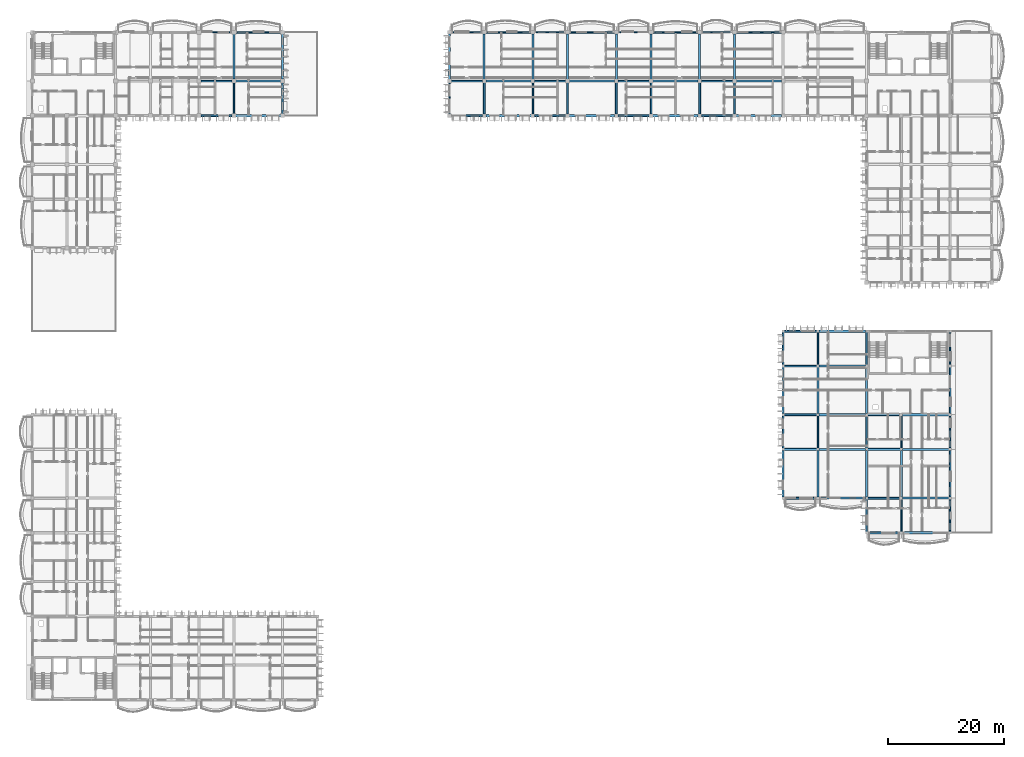
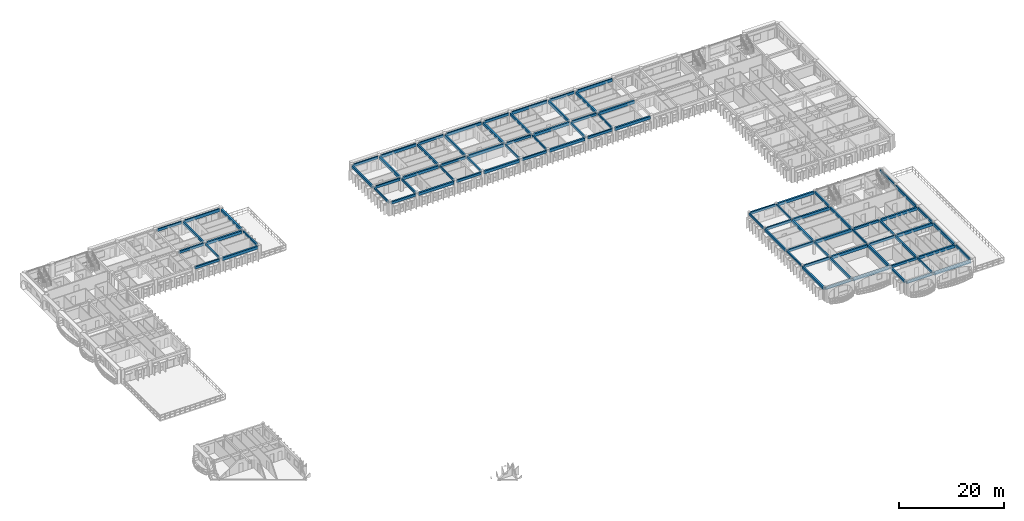
# One storey, part 6 of 66: 89 beams.
"""IFC4 building model written with IfcOpenShell, lengths in metres."""

from ifc_helpers import new_model, si_unit, direction, frame, origin, origin_2d, place, context, subcontext, project, spatial, rectangle, extrude, material, material_profile, profile_set, type_object, element, save


model = new_model("IFC4")

# Units and contexts
model_context = context("Model", 3, precision=1e-05, world=origin(), true_north=direction((0.0, 1.0)))
body_context = subcontext(model_context, "Body", "Model", "MODEL_VIEW")
ifc_project = project(units=[si_unit("LENGTHUNIT", "METRE"), si_unit("AREAUNIT", "SQUARE_METRE"), si_unit("VOLUMEUNIT", "CUBIC_METRE"), si_unit("PLANEANGLEUNIT", "RADIAN"), si_unit("MASSUNIT", "GRAM", prefix="KILO"), si_unit("THERMODYNAMICTEMPERATUREUNIT", "KELVIN")], contexts=[model_context])

# Site, building, storey
site_placement = place(None, origin())
site = spatial("IfcSite", under=ifc_project, at=site_placement, CompositionType="ELEMENT")
building_placement = place(site_placement, origin())
building = spatial("IfcBuilding", under=site, at=building_placement, Name="Thalorik Housing Commons", CompositionType="ELEMENT")
storey_placement = place(building_placement, frame((0.0, 0.0, 21.300048828125)))
storey = spatial("IfcBuildingStorey", under=building, at=storey_placement, Name="L06", CompositionType="ELEMENT", Elevation=21.300048828125)

# Beams
ifc_material = material(Name="Precast concrete C40/50", Category="concrete")
ifc_material_profile_1 = material_profile(ifc_material, rectangle(XDim=0.280029296875, YDim=0.449951171875, at=origin_2d()), Name="PC 280x450", Category="concrete")
ifc_profile_set_1 = profile_set([ifc_material_profile_1], Name="Precast concrete C40/50")
beam_type_1 = type_object("IfcBeamType", Name="STR-BM-PC280x450", PredefinedType="BEAM", material=ifc_profile_set_1)
for number, where, z_axis, x_axis, name in (
    (1, (43.199951171875, 109.5, 2.81494140625), (0.0, 1.0, 0.0), (-1.0, 0.0, 0.0), "L06 Beam B-450"),
    (2, (51.60009765625, 109.5, 2.81494140625), (0.0, 1.0, 0.0), (-1.0, 0.0, 0.0), "L06 Beam B-450"),
):
    element("IfcBeam", number, at=place(storey_placement, frame(where, z_axis=z_axis, x_axis=x_axis)), inside=storey, type_object=beam_type_1, Name=name, PredefinedType="BEAM", context=body_context, shape_type="SweptSolid", body=[
        extrude(rectangle(XDim=0.280029296875, YDim=0.449951171875, at=origin_2d()), origin(), (0.0, 0.0, 1.0), 5.39990234375),
    ])
for number, where, z_axis, x_axis, name in (
    (3, (80.39990234375, 109.47509765625, 2.81494140625), (0.0, 1.0, 0.0), (-1.0, 0.0, 0.0), "L06 Beam B-450"),
    (4, (86.39990234375, 109.47509765625, 2.81494140625), (0.0, 1.0, 0.0), (-1.0, 0.0, 0.0), "L06 Beam B-450"),
    (5, (94.800048828125, 109.47509765625, 2.81494140625), (0.0, 1.0, 0.0), (-1.0, 0.0, 0.0), "L06 Beam B-450"),
    (6, (100.800048828125, 109.47509765625, 2.81494140625), (0.0, 1.0, 0.0), (-1.0, 0.0, 0.0), "L06 Beam B-450"),
    (7, (109.199951171875, 109.47509765625, 2.81494140625), (0.0, 1.0, 0.0), (-1.0, 0.0, 0.0), "L06 Beam B-450"),
    (8, (115.199951171875, 109.47509765625, 2.81494140625), (0.0, 1.0, 0.0), (-1.0, 0.0, 0.0), "L06 Beam B-450"),
    (9, (123.60009765625, 109.47509765625, 2.81494140625), (0.0, 1.0, 0.0), (-1.0, 0.0, 0.0), "L06 Beam B-450"),
    (10, (129.60009765625, 109.47509765625, 2.81494140625), (0.0, 1.0, 0.0), (-1.0, 0.0, 0.0), "L06 Beam B-450"),
):
    element("IfcBeam", number, at=place(storey_placement, frame(where, z_axis=z_axis, x_axis=x_axis)), inside=storey, type_object=beam_type_1, Name=name, PredefinedType="BEAM", context=body_context, shape_type="SweptSolid", body=[
        extrude(rectangle(XDim=0.280029296875, YDim=0.449951171875, at=origin_2d()), origin(), (0.0, 0.0, 1.0), 5.449951171875),
    ])
beam_1_placement = place(storey_placement, frame((138.0, 51.77490234375, 2.81494140625), z_axis=(0.0, 1.0, 0.0), x_axis=(-1.0, 0.0, 0.0)))
element("IfcBeam", 11, at=beam_1_placement, inside=storey, type_object=beam_type_1, Name="L06 Beam B-450", PredefinedType="BEAM", context=body_context, shape_type="SweptSolid", body=[
    extrude(rectangle(XDim=0.280029296875, YDim=0.449951171875, at=origin_2d()), origin(), (0.0, 0.0, 1.0), 5.650146484375),
])
beam_2_placement = place(storey_placement, frame((138.0, 66.175048828125, 2.81494140625), z_axis=(0.0, 1.0, 0.0), x_axis=(-1.0, 0.0, 0.0)))
element("IfcBeam", 12, at=beam_2_placement, inside=storey, type_object=beam_type_1, Name="L06 Beam B-450", PredefinedType="BEAM", context=body_context, shape_type="SweptSolid", body=[
    extrude(rectangle(XDim=0.280029296875, YDim=0.449951171875, at=origin_2d()), origin(), (0.0, 0.0, 1.0), 5.64990234375),
])
beam_3_placement = place(storey_placement, frame((144.0, 51.77490234375, 2.81494140625), z_axis=(0.0, 1.0, 0.0), x_axis=(-1.0, 0.0, 0.0)))
element("IfcBeam", 13, at=beam_3_placement, inside=storey, type_object=beam_type_1, Name="L06 Beam B-450", PredefinedType="BEAM", context=body_context, shape_type="SweptSolid", body=[
    extrude(rectangle(XDim=0.280029296875, YDim=0.449951171875, at=origin_2d()), origin(), (0.0, 0.0, 1.0), 5.650146484375),
])
for number, where, z_axis, x_axis, name in (
    (14, (144.0, 66.175048828125, 2.81494140625), (0.0, 1.0, 0.0), (-1.0, 0.0, 0.0), "L06 Beam B-450"),
    (15, (152.39990234375, 37.375, 2.81494140625), (0.0, 1.0, 0.0), (-1.0, 0.0, 0.0), "L06 Beam B-450"),
):
    element("IfcBeam", number, at=place(storey_placement, frame(where, z_axis=z_axis, x_axis=x_axis)), inside=storey, type_object=beam_type_1, Name=name, PredefinedType="BEAM", context=body_context, shape_type="SweptSolid", body=[
        extrude(rectangle(XDim=0.280029296875, YDim=0.449951171875, at=origin_2d()), origin(), (0.0, 0.0, 1.0), 5.64990234375),
    ])
beam_4_placement = place(storey_placement, frame((152.39990234375, 51.77490234375, 2.81494140625), z_axis=(0.0, 1.0, 0.0), x_axis=(-1.0, 0.0, 0.0)))
element("IfcBeam", 16, at=beam_4_placement, inside=storey, type_object=beam_type_1, Name="L06 Beam B-450", PredefinedType="BEAM", context=body_context, shape_type="SweptSolid", body=[
    extrude(rectangle(XDim=0.280029296875, YDim=0.449951171875, at=origin_2d()), origin(), (0.0, 0.0, 1.0), 5.650146484375),
])
for number, where, z_axis, x_axis, name in (
    (17, (152.39990234375, 66.175048828125, 2.81494140625), (0.0, 1.0, 0.0), (-1.0, 0.0, 0.0), "L06 Beam B-450"),
    (18, (158.39990234375, 37.375, 2.81494140625), (0.0, 1.0, 0.0), (-1.0, 0.0, 0.0), "L06 Beam B-450"),
):
    element("IfcBeam", number, at=place(storey_placement, frame(where, z_axis=z_axis, x_axis=x_axis)), inside=storey, type_object=beam_type_1, Name=name, PredefinedType="BEAM", context=body_context, shape_type="SweptSolid", body=[
        extrude(rectangle(XDim=0.280029296875, YDim=0.449951171875, at=origin_2d()), origin(), (0.0, 0.0, 1.0), 5.64990234375),
    ])
beam_5_placement = place(storey_placement, frame((158.39990234375, 51.77490234375, 2.81494140625), z_axis=(0.0, 1.0, 0.0), x_axis=(-1.0, 0.0, 0.0)))
element("IfcBeam", 19, at=beam_5_placement, inside=storey, type_object=beam_type_1, Name="L06 Beam B-450", PredefinedType="BEAM", context=body_context, shape_type="SweptSolid", body=[
    extrude(rectangle(XDim=0.280029296875, YDim=0.449951171875, at=origin_2d()), origin(), (0.0, 0.0, 1.0), 5.650146484375),
])
ifc_material_profile_2 = material_profile(ifc_material, rectangle(XDim=0.320068359375, YDim=0.550048828125, at=origin_2d()), Name="PC 320x550", Category="concrete")
ifc_profile_set_2 = profile_set([ifc_material_profile_2], Name="Precast concrete C40/50")
beam_type_2 = type_object("IfcBeamType", Name="STR-BM-PC320x550", PredefinedType="BEAM", material=ifc_profile_set_2)
beam_6_placement = place(storey_placement, frame((152.574951171875, 37.199951171875, 2.764892578125), z_axis=(1.0, 0.0, 0.0), x_axis=(0.0, 1.0, 0.0)))
element("IfcBeam", 20, at=beam_6_placement, inside=storey, type_object=beam_type_2, Name="L06 Beam B-550", PredefinedType="BEAM", context=body_context, shape_type="SweptSolid", body=[
    extrude(rectangle(XDim=0.320068359375, YDim=0.550048828125, at=origin_2d()), origin(), (0.0, 0.0, 1.0), 5.650146484375),
])
beam_7_placement = place(storey_placement, frame((138.175048828125, 43.199951171875, 2.764892578125), z_axis=(1.0, 0.0, 0.0), x_axis=(0.0, 1.0, 0.0)))
element("IfcBeam", 21, at=beam_7_placement, inside=storey, type_object=beam_type_2, Name="L06 Beam B-550", PredefinedType="BEAM", context=body_context, shape_type="SweptSolid", body=[
    extrude(rectangle(XDim=0.320068359375, YDim=0.550048828125, at=origin_2d()), origin(), (0.0, 0.0, 1.0), 5.64990234375),
])
beam_8_placement = place(storey_placement, frame((152.574951171875, 43.199951171875, 2.764892578125), z_axis=(1.0, 0.0, 0.0), x_axis=(0.0, 1.0, 0.0)))
element("IfcBeam", 22, at=beam_8_placement, inside=storey, type_object=beam_type_2, Name="L06 Beam B-550", PredefinedType="BEAM", context=body_context, shape_type="SweptSolid", body=[
    extrude(rectangle(XDim=0.320068359375, YDim=0.550048828125, at=origin_2d()), origin(), (0.0, 0.0, 1.0), 5.650146484375),
])
beam_9_placement = place(storey_placement, frame((138.175048828125, 51.60009765625, 2.764892578125), z_axis=(1.0, 0.0, 0.0), x_axis=(0.0, 1.0, 0.0)))
element("IfcBeam", 23, at=beam_9_placement, inside=storey, type_object=beam_type_2, Name="L06 Beam B-550", PredefinedType="BEAM", context=body_context, shape_type="SweptSolid", body=[
    extrude(rectangle(XDim=0.320068359375, YDim=0.550048828125, at=origin_2d()), origin(), (0.0, 0.0, 1.0), 5.64990234375),
])
beam_10_placement = place(storey_placement, frame((152.574951171875, 51.60009765625, 2.764892578125), z_axis=(1.0, 0.0, 0.0), x_axis=(0.0, 1.0, 0.0)))
element("IfcBeam", 24, at=beam_10_placement, inside=storey, type_object=beam_type_2, Name="L06 Beam B-550", PredefinedType="BEAM", context=body_context, shape_type="SweptSolid", body=[
    extrude(rectangle(XDim=0.320068359375, YDim=0.550048828125, at=origin_2d()), origin(), (0.0, 0.0, 1.0), 5.650146484375),
])
beam_11_placement = place(storey_placement, frame((138.175048828125, 57.60009765625, 2.764892578125), z_axis=(1.0, 0.0, 0.0), x_axis=(0.0, 1.0, 0.0)))
element("IfcBeam", 25, at=beam_11_placement, inside=storey, type_object=beam_type_2, Name="L06 Beam B-550", PredefinedType="BEAM", context=body_context, shape_type="SweptSolid", body=[
    extrude(rectangle(XDim=0.320068359375, YDim=0.550048828125, at=origin_2d()), origin(), (0.0, 0.0, 1.0), 5.64990234375),
])
beam_12_placement = place(storey_placement, frame((152.574951171875, 57.60009765625, 2.764892578125), z_axis=(1.0, 0.0, 0.0), x_axis=(0.0, 1.0, 0.0)))
element("IfcBeam", 26, at=beam_12_placement, inside=storey, type_object=beam_type_2, Name="L06 Beam B-550", PredefinedType="BEAM", context=body_context, shape_type="SweptSolid", body=[
    extrude(rectangle(XDim=0.320068359375, YDim=0.550048828125, at=origin_2d()), origin(), (0.0, 0.0, 1.0), 5.650146484375),
])
for number, where, z_axis, x_axis, name in (
    (27, (138.175048828125, 66.0, 2.764892578125), (1.0, 0.0, 0.0), (0.0, 1.0, 0.0), "L06 Beam B-550"),
    (28, (138.175048828125, 72.0, 2.764892578125), (1.0, 0.0, 0.0), (0.0, 1.0, 0.0), "L06 Beam B-550"),
):
    element("IfcBeam", number, at=place(storey_placement, frame(where, z_axis=z_axis, x_axis=x_axis)), inside=storey, type_object=beam_type_2, Name=name, PredefinedType="BEAM", context=body_context, shape_type="SweptSolid", body=[
        extrude(rectangle(XDim=0.320068359375, YDim=0.550048828125, at=origin_2d()), origin(), (0.0, 0.0, 1.0), 5.64990234375),
    ])
beam_13_placement = place(storey_placement, frame((37.5, 109.199951171875, 2.764892578125), z_axis=(1.0, 0.0, 0.0), x_axis=(0.0, 1.0, 0.0)))
element("IfcBeam", 29, at=beam_13_placement, inside=storey, type_object=beam_type_2, Name="L06 Beam B-550", PredefinedType="BEAM", context=body_context, shape_type="SweptSolid", body=[
    extrude(rectangle(XDim=0.320068359375, YDim=0.550048828125, at=origin_2d()), origin(), (0.0, 0.0, 1.0), 5.39990234375),
])
for number, where, z_axis, x_axis, name in (
    (30, (80.675048828125, 109.199951171875, 2.764892578125), (1.0, 0.0, 0.0), (0.0, 1.0, 0.0), "L06 Beam B-550"),
    (31, (95.074951171875, 109.199951171875, 2.764892578125), (1.0, 0.0, 0.0), (0.0, 1.0, 0.0), "L06 Beam B-550"),
    (32, (109.47509765625, 109.199951171875, 2.764892578125), (1.0, 0.0, 0.0), (0.0, 1.0, 0.0), "L06 Beam B-550"),
    (33, (123.875, 109.199951171875, 2.764892578125), (1.0, 0.0, 0.0), (0.0, 1.0, 0.0), "L06 Beam B-550"),
):
    element("IfcBeam", number, at=place(storey_placement, frame(where, z_axis=z_axis, x_axis=x_axis)), inside=storey, type_object=beam_type_2, Name=name, PredefinedType="BEAM", context=body_context, shape_type="SweptSolid", body=[
        extrude(rectangle(XDim=0.320068359375, YDim=0.550048828125, at=origin_2d()), origin(), (0.0, 0.0, 1.0), 5.449951171875),
    ])
beam_14_placement = place(storey_placement, frame((37.5, 115.199951171875, 2.764892578125), z_axis=(1.0, 0.0, 0.0), x_axis=(0.0, 1.0, 0.0)))
element("IfcBeam", 34, at=beam_14_placement, inside=storey, type_object=beam_type_2, Name="L06 Beam B-550", PredefinedType="BEAM", context=body_context, shape_type="SweptSolid", body=[
    extrude(rectangle(XDim=0.320068359375, YDim=0.550048828125, at=origin_2d()), origin(), (0.0, 0.0, 1.0), 5.39990234375),
])
for number, where, z_axis, x_axis, name in (
    (35, (80.675048828125, 115.199951171875, 2.764892578125), (1.0, 0.0, 0.0), (0.0, 1.0, 0.0), "L06 Beam B-550"),
    (36, (95.074951171875, 115.199951171875, 2.764892578125), (1.0, 0.0, 0.0), (0.0, 1.0, 0.0), "L06 Beam B-550"),
    (37, (109.47509765625, 115.199951171875, 2.764892578125), (1.0, 0.0, 0.0), (0.0, 1.0, 0.0), "L06 Beam B-550"),
    (38, (123.875, 115.199951171875, 2.764892578125), (1.0, 0.0, 0.0), (0.0, 1.0, 0.0), "L06 Beam B-550"),
):
    element("IfcBeam", number, at=place(storey_placement, frame(where, z_axis=z_axis, x_axis=x_axis)), inside=storey, type_object=beam_type_2, Name=name, PredefinedType="BEAM", context=body_context, shape_type="SweptSolid", body=[
        extrude(rectangle(XDim=0.320068359375, YDim=0.550048828125, at=origin_2d()), origin(), (0.0, 0.0, 1.0), 5.449951171875),
    ])
ifc_material_profile_3 = material_profile(ifc_material, rectangle(XDim=0.35009765625, YDim=0.60009765625, at=origin_2d()), Name="PC 350x600", Category="concrete")
ifc_profile_set_3 = profile_set([ifc_material_profile_3], Name="Precast concrete C40/50")
beam_type_3 = type_object("IfcBeamType", Name="STR-BM-PC350x600", PredefinedType="BEAM", material=ifc_profile_set_3)
for number, where, z_axis, x_axis, name in (
    (39, (43.199951171875, 115.5, 2.739990234375), (0.0, 1.0, 0.0), (-1.0, 0.0, 0.0), "L06 Beam B-600"),
    (40, (51.60009765625, 115.5, 2.739990234375), (0.0, 1.0, 0.0), (-1.0, 0.0, 0.0), "L06 Beam B-600"),
):
    element("IfcBeam", number, at=place(storey_placement, frame(where, z_axis=z_axis, x_axis=x_axis)), inside=storey, type_object=beam_type_3, Name=name, PredefinedType="BEAM", context=body_context, shape_type="SweptSolid", body=[
        extrude(rectangle(XDim=0.35009765625, YDim=0.60009765625, at=origin_2d()), origin(), (0.0, 0.0, 1.0), 7.800048828125),
    ])
for number, where, z_axis, x_axis, name in (
    (41, (80.39990234375, 115.47509765625, 2.739990234375), (0.0, 1.0, 0.0), (-1.0, 0.0, 0.0), "L06 Beam B-600"),
    (42, (86.39990234375, 115.47509765625, 2.739990234375), (0.0, 1.0, 0.0), (-1.0, 0.0, 0.0), "L06 Beam B-600"),
    (43, (94.800048828125, 115.47509765625, 2.739990234375), (0.0, 1.0, 0.0), (-1.0, 0.0, 0.0), "L06 Beam B-600"),
    (44, (100.800048828125, 115.47509765625, 2.739990234375), (0.0, 1.0, 0.0), (-1.0, 0.0, 0.0), "L06 Beam B-600"),
    (45, (109.199951171875, 115.47509765625, 2.739990234375), (0.0, 1.0, 0.0), (-1.0, 0.0, 0.0), "L06 Beam B-600"),
    (46, (115.199951171875, 115.47509765625, 2.739990234375), (0.0, 1.0, 0.0), (-1.0, 0.0, 0.0), "L06 Beam B-600"),
    (47, (123.60009765625, 115.47509765625, 2.739990234375), (0.0, 1.0, 0.0), (-1.0, 0.0, 0.0), "L06 Beam B-600"),
    (48, (129.60009765625, 115.47509765625, 2.739990234375), (0.0, 1.0, 0.0), (-1.0, 0.0, 0.0), "L06 Beam B-600"),
):
    element("IfcBeam", number, at=place(storey_placement, frame(where, z_axis=z_axis, x_axis=x_axis)), inside=storey, type_object=beam_type_3, Name=name, PredefinedType="BEAM", context=body_context, shape_type="SweptSolid", body=[
        extrude(rectangle(XDim=0.35009765625, YDim=0.60009765625, at=origin_2d()), origin(), (0.0, 0.0, 1.0), 7.849853515625),
    ])
for number, where, z_axis, x_axis, name in (
    (49, (138.0, 43.375, 2.739990234375), (0.0, 1.0, 0.0), (-1.0, 0.0, 0.0), "L06 Beam B-600"),
    (50, (138.0, 57.77490234375, 2.739990234375), (0.0, 1.0, 0.0), (-1.0, 0.0, 0.0), "L06 Beam B-600"),
    (51, (144.0, 43.375, 2.739990234375), (0.0, 1.0, 0.0), (-1.0, 0.0, 0.0), "L06 Beam B-600"),
    (52, (144.0, 57.77490234375, 2.739990234375), (0.0, 1.0, 0.0), (-1.0, 0.0, 0.0), "L06 Beam B-600"),
    (53, (152.39990234375, 43.375, 2.739990234375), (0.0, 1.0, 0.0), (-1.0, 0.0, 0.0), "L06 Beam B-600"),
    (54, (152.39990234375, 57.77490234375, 2.739990234375), (0.0, 1.0, 0.0), (-1.0, 0.0, 0.0), "L06 Beam B-600"),
    (55, (158.39990234375, 43.375, 2.739990234375), (0.0, 1.0, 0.0), (-1.0, 0.0, 0.0), "L06 Beam B-600"),
):
    element("IfcBeam", number, at=place(storey_placement, frame(where, z_axis=z_axis, x_axis=x_axis)), inside=storey, type_object=beam_type_3, Name=name, PredefinedType="BEAM", context=body_context, shape_type="SweptSolid", body=[
        extrude(rectangle(XDim=0.35009765625, YDim=0.60009765625, at=origin_2d()), origin(), (0.0, 0.0, 1.0), 8.050048828125),
    ])
ifc_material_profile_4 = material_profile(ifc_material, rectangle(XDim=0.3798828125, YDim=0.64990234375, at=origin_2d()), Name="PC 380x650", Category="concrete")
ifc_profile_set_4 = profile_set([ifc_material_profile_4], Name="Precast concrete C40/50")
beam_type_4 = type_object("IfcBeamType", Name="STR-BM-PC380x650", PredefinedType="BEAM", material=ifc_profile_set_4)
for number, where, z_axis, x_axis, name in (
    (56, (158.574951171875, 37.199951171875, 2.71484375), (1.0, 0.0, 0.0), (0.0, 1.0, 0.0), "L06 Beam B-650"),
    (57, (144.175048828125, 43.199951171875, 2.71484375), (1.0, 0.0, 0.0), (0.0, 1.0, 0.0), "L06 Beam B-650"),
    (58, (158.574951171875, 43.199951171875, 2.71484375), (1.0, 0.0, 0.0), (0.0, 1.0, 0.0), "L06 Beam B-650"),
    (59, (144.175048828125, 51.60009765625, 2.71484375), (1.0, 0.0, 0.0), (0.0, 1.0, 0.0), "L06 Beam B-650"),
    (60, (158.574951171875, 51.60009765625, 2.71484375), (1.0, 0.0, 0.0), (0.0, 1.0, 0.0), "L06 Beam B-650"),
    (61, (144.175048828125, 57.60009765625, 2.71484375), (1.0, 0.0, 0.0), (0.0, 1.0, 0.0), "L06 Beam B-650"),
    (62, (158.574951171875, 57.60009765625, 2.71484375), (1.0, 0.0, 0.0), (0.0, 1.0, 0.0), "L06 Beam B-650"),
    (63, (144.175048828125, 66.0, 2.71484375), (1.0, 0.0, 0.0), (0.0, 1.0, 0.0), "L06 Beam B-650"),
    (64, (144.175048828125, 72.0, 2.71484375), (1.0, 0.0, 0.0), (0.0, 1.0, 0.0), "L06 Beam B-650"),
):
    element("IfcBeam", number, at=place(storey_placement, frame(where, z_axis=z_axis, x_axis=x_axis)), inside=storey, type_object=beam_type_4, Name=name, PredefinedType="BEAM", context=body_context, shape_type="SweptSolid", body=[
        extrude(rectangle(XDim=0.3798828125, YDim=0.64990234375, at=origin_2d()), origin(), (0.0, 0.0, 1.0), 8.050048828125),
    ])
beam_15_placement = place(storey_placement, frame((43.5, 109.199951171875, 2.71484375), z_axis=(1.0, 0.0, 0.0), x_axis=(0.0, 1.0, 0.0)))
element("IfcBeam", 65, at=beam_15_placement, inside=storey, type_object=beam_type_4, Name="L06 Beam B-650", PredefinedType="BEAM", context=body_context, shape_type="SweptSolid", body=[
    extrude(rectangle(XDim=0.3798828125, YDim=0.64990234375, at=origin_2d()), origin(), (0.0, 0.0, 1.0), 7.800048828125),
])
beam_16_placement = place(storey_placement, frame((86.675048828125, 109.199951171875, 2.71484375), z_axis=(1.0, 0.0, 0.0), x_axis=(0.0, 1.0, 0.0)))
element("IfcBeam", 66, at=beam_16_placement, inside=storey, type_object=beam_type_4, Name="L06 Beam B-650", PredefinedType="BEAM", context=body_context, shape_type="SweptSolid", body=[
    extrude(rectangle(XDim=0.3798828125, YDim=0.64990234375, at=origin_2d()), origin(), (0.0, 0.0, 1.0), 7.849853515625),
])
beam_17_placement = place(storey_placement, frame((101.074951171875, 109.199951171875, 2.71484375), z_axis=(1.0, 0.0, 0.0), x_axis=(0.0, 1.0, 0.0)))
element("IfcBeam", 67, at=beam_17_placement, inside=storey, type_object=beam_type_4, Name="L06 Beam B-650", PredefinedType="BEAM", context=body_context, shape_type="SweptSolid", body=[
    extrude(rectangle(XDim=0.3798828125, YDim=0.64990234375, at=origin_2d()), origin(), (0.0, 0.0, 1.0), 7.85009765625),
])
beam_18_placement = place(storey_placement, frame((115.47509765625, 109.199951171875, 2.71484375), z_axis=(1.0, 0.0, 0.0), x_axis=(0.0, 1.0, 0.0)))
element("IfcBeam", 68, at=beam_18_placement, inside=storey, type_object=beam_type_4, Name="L06 Beam B-650", PredefinedType="BEAM", context=body_context, shape_type="SweptSolid", body=[
    extrude(rectangle(XDim=0.3798828125, YDim=0.64990234375, at=origin_2d()), origin(), (0.0, 0.0, 1.0), 7.849853515625),
])
beam_19_placement = place(storey_placement, frame((129.875, 109.199951171875, 2.71484375), z_axis=(1.0, 0.0, 0.0), x_axis=(0.0, 1.0, 0.0)))
element("IfcBeam", 69, at=beam_19_placement, inside=storey, type_object=beam_type_4, Name="L06 Beam B-650", PredefinedType="BEAM", context=body_context, shape_type="SweptSolid", body=[
    extrude(rectangle(XDim=0.3798828125, YDim=0.64990234375, at=origin_2d()), origin(), (0.0, 0.0, 1.0), 7.85009765625),
])
beam_20_placement = place(storey_placement, frame((43.5, 115.199951171875, 2.71484375), z_axis=(1.0, 0.0, 0.0), x_axis=(0.0, 1.0, 0.0)))
element("IfcBeam", 70, at=beam_20_placement, inside=storey, type_object=beam_type_4, Name="L06 Beam B-650", PredefinedType="BEAM", context=body_context, shape_type="SweptSolid", body=[
    extrude(rectangle(XDim=0.3798828125, YDim=0.64990234375, at=origin_2d()), origin(), (0.0, 0.0, 1.0), 7.800048828125),
])
beam_21_placement = place(storey_placement, frame((86.675048828125, 115.199951171875, 2.71484375), z_axis=(1.0, 0.0, 0.0), x_axis=(0.0, 1.0, 0.0)))
element("IfcBeam", 71, at=beam_21_placement, inside=storey, type_object=beam_type_4, Name="L06 Beam B-650", PredefinedType="BEAM", context=body_context, shape_type="SweptSolid", body=[
    extrude(rectangle(XDim=0.3798828125, YDim=0.64990234375, at=origin_2d()), origin(), (0.0, 0.0, 1.0), 7.849853515625),
])
beam_22_placement = place(storey_placement, frame((101.074951171875, 115.199951171875, 2.71484375), z_axis=(1.0, 0.0, 0.0), x_axis=(0.0, 1.0, 0.0)))
element("IfcBeam", 72, at=beam_22_placement, inside=storey, type_object=beam_type_4, Name="L06 Beam B-650", PredefinedType="BEAM", context=body_context, shape_type="SweptSolid", body=[
    extrude(rectangle(XDim=0.3798828125, YDim=0.64990234375, at=origin_2d()), origin(), (0.0, 0.0, 1.0), 7.85009765625),
])
beam_23_placement = place(storey_placement, frame((115.47509765625, 115.199951171875, 2.71484375), z_axis=(1.0, 0.0, 0.0), x_axis=(0.0, 1.0, 0.0)))
element("IfcBeam", 73, at=beam_23_placement, inside=storey, type_object=beam_type_4, Name="L06 Beam B-650", PredefinedType="BEAM", context=body_context, shape_type="SweptSolid", body=[
    extrude(rectangle(XDim=0.3798828125, YDim=0.64990234375, at=origin_2d()), origin(), (0.0, 0.0, 1.0), 7.849853515625),
])
beam_24_placement = place(storey_placement, frame((129.875, 115.199951171875, 2.71484375), z_axis=(1.0, 0.0, 0.0), x_axis=(0.0, 1.0, 0.0)))
element("IfcBeam", 74, at=beam_24_placement, inside=storey, type_object=beam_type_4, Name="L06 Beam B-650", PredefinedType="BEAM", context=body_context, shape_type="SweptSolid", body=[
    extrude(rectangle(XDim=0.3798828125, YDim=0.64990234375, at=origin_2d()), origin(), (0.0, 0.0, 1.0), 7.85009765625),
])
ifc_material_profile_5 = material_profile(ifc_material, rectangle(XDim=0.239990234375, YDim=0.580078125, at=origin_2d()), Name="PC SP 240x580", Category="concrete")
ifc_profile_set_5 = profile_set([ifc_material_profile_5], Name="Precast concrete C40/50")
beam_type_5 = type_object("IfcBeamType", Name="STR-SP-PC240x580", PredefinedType="SPANDREL", material=ifc_profile_set_5)
beam_25_placement = place(storey_placement, frame((37.5, 123.60009765625, 2.75), z_axis=(1.0, 0.0, 0.0), x_axis=(0.0, 1.0, 0.0)))
element("IfcBeam", 75, at=beam_25_placement, inside=storey, type_object=beam_type_5, Name="L06 Beam B-550", PredefinedType="SPANDREL", context=body_context, shape_type="SweptSolid", body=[
    extrude(rectangle(XDim=0.239990234375, YDim=0.580078125, at=origin_2d()), origin(), (0.0, 0.0, 1.0), 5.39990234375),
])
for number, where, z_axis, x_axis, name in (
    (76, (80.675048828125, 123.60009765625, 2.75), (1.0, 0.0, 0.0), (0.0, 1.0, 0.0), "L06 Beam B-550"),
    (77, (95.074951171875, 123.60009765625, 2.75), (1.0, 0.0, 0.0), (0.0, 1.0, 0.0), "L06 Beam B-550"),
    (78, (109.47509765625, 123.60009765625, 2.75), (1.0, 0.0, 0.0), (0.0, 1.0, 0.0), "L06 Beam B-550"),
    (79, (123.875, 123.60009765625, 2.75), (1.0, 0.0, 0.0), (0.0, 1.0, 0.0), "L06 Beam B-550"),
):
    element("IfcBeam", number, at=place(storey_placement, frame(where, z_axis=z_axis, x_axis=x_axis)), inside=storey, type_object=beam_type_5, Name=name, PredefinedType="SPANDREL", context=body_context, shape_type="SweptSolid", body=[
        extrude(rectangle(XDim=0.239990234375, YDim=0.580078125, at=origin_2d()), origin(), (0.0, 0.0, 1.0), 5.449951171875),
    ])
beam_26_placement = place(storey_placement, frame((166.800048828125, 37.375, 2.75), z_axis=(0.0, 1.0, 0.0), x_axis=(-1.0, 0.0, 0.0)))
element("IfcBeam", 80, at=beam_26_placement, inside=storey, type_object=beam_type_5, Name="L06 Beam B-450", PredefinedType="SPANDREL", context=body_context, shape_type="SweptSolid", body=[
    extrude(rectangle(XDim=0.239990234375, YDim=0.580078125, at=origin_2d()), origin(), (0.0, 0.0, 1.0), 5.64990234375),
])
beam_27_placement = place(storey_placement, frame((166.800048828125, 51.77490234375, 2.75), z_axis=(0.0, 1.0, 0.0), x_axis=(-1.0, 0.0, 0.0)))
element("IfcBeam", 81, at=beam_27_placement, inside=storey, type_object=beam_type_5, Name="L06 Beam B-450", PredefinedType="SPANDREL", context=body_context, shape_type="SweptSolid", body=[
    extrude(rectangle(XDim=0.239990234375, YDim=0.580078125, at=origin_2d()), origin(), (0.0, 0.0, 1.0), 5.650146484375),
])
beam_28_placement = place(storey_placement, frame((166.800048828125, 66.175048828125, 2.75), z_axis=(0.0, 1.0, 0.0), x_axis=(-1.0, 0.0, 0.0)))
element("IfcBeam", 82, at=beam_28_placement, inside=storey, type_object=beam_type_5, Name="L06 Beam B-450", PredefinedType="SPANDREL", context=body_context, shape_type="SweptSolid", body=[
    extrude(rectangle(XDim=0.239990234375, YDim=0.580078125, at=origin_2d()), origin(), (0.0, 0.0, 1.0), 5.64990234375),
])
ifc_material_profile_6 = material_profile(ifc_material, rectangle(XDim=0.260009765625, YDim=0.679931640625, at=origin_2d()), Name="PC SP 260x680", Category="concrete")
ifc_profile_set_6 = profile_set([ifc_material_profile_6], Name="Precast concrete C40/50")
beam_type_6 = type_object("IfcBeamType", Name="STR-SP-PC260x680", PredefinedType="SPANDREL", material=ifc_profile_set_6)
beam_29_placement = place(storey_placement, frame((43.5, 123.60009765625, 2.699951171875), z_axis=(1.0, 0.0, 0.0), x_axis=(0.0, 1.0, 0.0)))
element("IfcBeam", 83, at=beam_29_placement, inside=storey, type_object=beam_type_6, Name="L06 Beam B-650", PredefinedType="SPANDREL", context=body_context, shape_type="SweptSolid", body=[
    extrude(rectangle(XDim=0.260009765625, YDim=0.679931640625, at=origin_2d()), origin(), (0.0, 0.0, 1.0), 7.800048828125),
])
beam_30_placement = place(storey_placement, frame((86.675048828125, 123.60009765625, 2.699951171875), z_axis=(1.0, 0.0, 0.0), x_axis=(0.0, 1.0, 0.0)))
element("IfcBeam", 84, at=beam_30_placement, inside=storey, type_object=beam_type_6, Name="L06 Beam B-650", PredefinedType="SPANDREL", context=body_context, shape_type="SweptSolid", body=[
    extrude(rectangle(XDim=0.260009765625, YDim=0.679931640625, at=origin_2d()), origin(), (0.0, 0.0, 1.0), 7.849853515625),
])
beam_31_placement = place(storey_placement, frame((101.074951171875, 123.60009765625, 2.699951171875), z_axis=(1.0, 0.0, 0.0), x_axis=(0.0, 1.0, 0.0)))
element("IfcBeam", 85, at=beam_31_placement, inside=storey, type_object=beam_type_6, Name="L06 Beam B-650", PredefinedType="SPANDREL", context=body_context, shape_type="SweptSolid", body=[
    extrude(rectangle(XDim=0.260009765625, YDim=0.679931640625, at=origin_2d()), origin(), (0.0, 0.0, 1.0), 7.85009765625),
])
beam_32_placement = place(storey_placement, frame((115.47509765625, 123.60009765625, 2.699951171875), z_axis=(1.0, 0.0, 0.0), x_axis=(0.0, 1.0, 0.0)))
element("IfcBeam", 86, at=beam_32_placement, inside=storey, type_object=beam_type_6, Name="L06 Beam B-650", PredefinedType="SPANDREL", context=body_context, shape_type="SweptSolid", body=[
    extrude(rectangle(XDim=0.260009765625, YDim=0.679931640625, at=origin_2d()), origin(), (0.0, 0.0, 1.0), 7.849853515625),
])
beam_33_placement = place(storey_placement, frame((129.875, 123.60009765625, 2.699951171875), z_axis=(1.0, 0.0, 0.0), x_axis=(0.0, 1.0, 0.0)))
element("IfcBeam", 87, at=beam_33_placement, inside=storey, type_object=beam_type_6, Name="L06 Beam B-650", PredefinedType="SPANDREL", context=body_context, shape_type="SweptSolid", body=[
    extrude(rectangle(XDim=0.260009765625, YDim=0.679931640625, at=origin_2d()), origin(), (0.0, 0.0, 1.0), 7.85009765625),
])
for number, where, z_axis, x_axis, name in (
    (88, (166.800048828125, 43.375, 2.699951171875), (0.0, 1.0, 0.0), (-1.0, 0.0, 0.0), "L06 Beam B-600"),
    (89, (166.800048828125, 57.77490234375, 2.699951171875), (0.0, 1.0, 0.0), (-1.0, 0.0, 0.0), "L06 Beam B-600"),
):
    element("IfcBeam", number, at=place(storey_placement, frame(where, z_axis=z_axis, x_axis=x_axis)), inside=storey, type_object=beam_type_6, Name=name, PredefinedType="SPANDREL", context=body_context, shape_type="SweptSolid", body=[
        extrude(rectangle(XDim=0.260009765625, YDim=0.679931640625, at=origin_2d()), origin(), (0.0, 0.0, 1.0), 8.050048828125),
    ])

save(model, "model.ifc")
